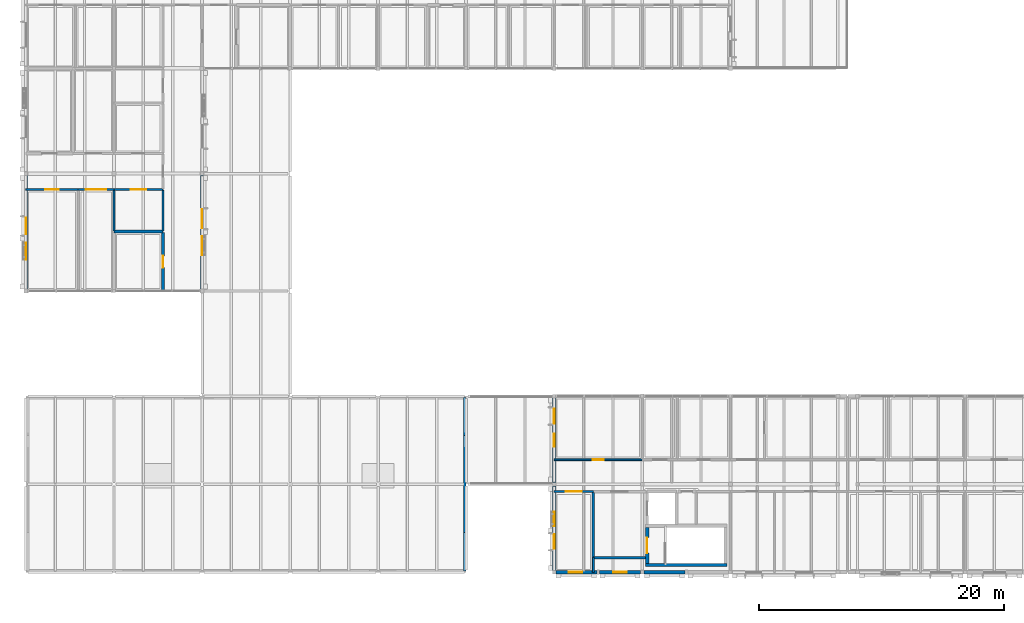
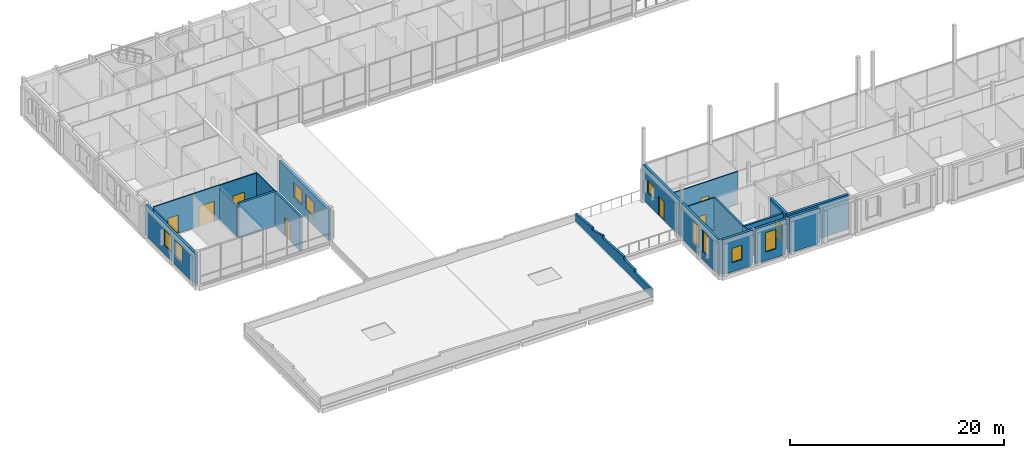
# One storey, part 36 of 57: 22 walls, 9 windows, 8 doors, 17 openings.
"""IFC4 building model written with IfcOpenShell, lengths in metres."""

import ifcopenshell
import ifcopenshell.guid

model = None  # the IFC model being written
_history = None  # IfcOwnerHistory: only IFC2X3 demands one
_inside = {}  # id of a spatial element -> (the spatial element, [elements in it])
_under = {}  # id of a project, library or spatial element -> (it, [spatial elements below it])
_declared = {}  # id of a project -> (the project, [libraries it declares])
_typed = {}  # id of a type object -> (the type object, [elements of that type])
_made_of = {}  # id of a material, layer set ... -> (it, [elements and type objects made of it])


def new_model(schema):
    """Start an empty IFC model of exactly this schema.

    Asked for "IFC4X3", IfcOpenShell would pick the latest addendum, in which some entities
    have other attributes; the version numbers below select the first issue.
    IFC2X3 requires an IfcOwnerHistory on every rooted entity: one is made here for all.
    """
    global model, _history
    if schema == "IFC4X3":
        model = ifcopenshell.file(schema_version=(4, 3, 0, 0))
    else:
        model = ifcopenshell.file(schema=schema)
    _inside.clear()
    _under.clear()
    _declared.clear()
    _typed.clear()
    _made_of.clear()
    _history = None
    if model.schema == "IFC2X3":
        org = make("IfcOrganization", Name="unknown")
        user = make(
            "IfcPersonAndOrganization",
            ThePerson=make("IfcPerson", FamilyName="unknown"),
            TheOrganization=org,
        )
        app = make(
            "IfcApplication",
            ApplicationDeveloper=org,
            Version="unknown",
            ApplicationFullName="unknown",
            ApplicationIdentifier="unknown",
        )
        _history = make(
            "IfcOwnerHistory",
            OwningUser=user,
            OwningApplication=app,
            ChangeAction="ADDED",
            CreationDate=0,
        )
    return model


def make(cls, **values):
    """One entity of the class cls with the attributes given. An attribute that is None is left unset."""
    return model.create_entity(
        cls, **{name: value for name, value in values.items() if value is not None}
    )


def rooted(cls, **values):
    """An entity with a GlobalId (a new one), such as an element, a storey or a relation."""
    return make(cls, GlobalId=ifcopenshell.guid.new(), OwnerHistory=_history, **values)


def si_unit(unit_type, name, prefix=None):
    """IfcSIUnit, for example si_unit("LENGTHUNIT", "METRE", prefix="MILLI")."""
    return make("IfcSIUnit", UnitType=unit_type, Prefix=prefix, Name=name)


def assignment(units):
    """IfcUnitAssignment: the units of a project."""
    return None if units is None else make("IfcUnitAssignment", Units=units)


def point(xyz):
    """IfcCartesianPoint."""
    return None if xyz is None else make("IfcCartesianPoint", Coordinates=xyz)


def direction(xyz):
    """IfcDirection."""
    return None if xyz is None else make("IfcDirection", DirectionRatios=xyz)


def frame(location, z_axis=None, x_axis=None):
    """IfcAxis2Placement3D, a coordinate frame: its origin and axes. An axis left out is left unset."""
    return make(
        "IfcAxis2Placement3D",
        Location=point(location),
        Axis=direction(z_axis),
        RefDirection=direction(x_axis),
    )


def frame_2d(location, x_axis=None):
    """IfcAxis2Placement2D, a coordinate frame in the plane: its origin and x axis."""
    return make(
        "IfcAxis2Placement2D", Location=point(location), RefDirection=direction(x_axis)
    )


def origin():
    """The frame at (0, 0, 0) with its axes left unset."""
    return frame((0.0, 0.0, 0.0))


def place(relative_to, where):
    """IfcLocalPlacement: puts the frame where relative to a parent placement (None: the world)."""
    return make(
        "IfcLocalPlacement", PlacementRelTo=relative_to, RelativePlacement=where
    )


def context(
    kind, dimensions, precision=None, world=None, true_north=None, identifier=None
):
    """IfcGeometricRepresentationContext, for example the 3D "Model" context."""
    return make(
        "IfcGeometricRepresentationContext",
        ContextIdentifier=identifier,
        ContextType=kind,
        CoordinateSpaceDimension=dimensions,
        Precision=precision,
        WorldCoordinateSystem=world,
        TrueNorth=true_north,
    )


def subcontext(parent, identifier, kind, view, scale=None):
    """IfcGeometricRepresentationSubContext, for example "Body" below "Model"."""
    return make(
        "IfcGeometricRepresentationSubContext",
        ContextIdentifier=identifier,
        ContextType=kind,
        ParentContext=parent,
        TargetScale=scale,
        TargetView=view,
    )


def project(units=None, contexts=None):
    """IfcProject with its units and contexts."""
    return rooted(
        "IfcProject",
        Name="project",
        RepresentationContexts=contexts,
        UnitsInContext=assignment(units),
    )


def spatial(cls, under=None, at=None, **own):
    """A site, building, storey or space (cls), placed at a placement, below another one or the project."""
    s = rooted(cls, ObjectPlacement=at, **own)
    if under is not None:
        _under.setdefault(under.id(), (under, []))[1].append(s)
    return s


def polyline(points):
    """IfcPolyline through the points."""
    return make("IfcPolyline", Points=[point(p) for p in points])


def profile(cls, at=None, kind="AREA", **sizes):
    """A parametric profile (cls). Its sizes go by their IFC names, for example OverallWidth=200.0."""
    return make(cls, ProfileType=kind, Position=at, **sizes)


def rectangle(**sizes):
    """IfcRectangleProfileDef."""
    return profile("IfcRectangleProfileDef", **sizes)


def outline(outer, holes=None, kind="AREA"):
    """IfcArbitraryClosedProfileDef: a profile drawn as a closed curve; with holes, ...WithVoids."""
    if holes is None:
        return make("IfcArbitraryClosedProfileDef", ProfileType=kind, OuterCurve=outer)
    return make(
        "IfcArbitraryProfileDefWithVoids",
        ProfileType=kind,
        OuterCurve=outer,
        InnerCurves=holes,
    )


def extrude(swept, where, along, depth):
    """IfcExtrudedAreaSolid: the profile swept, set in the frame where, extruded along a direction by depth."""
    return make(
        "IfcExtrudedAreaSolid",
        SweptArea=swept,
        Position=where,
        ExtrudedDirection=direction(along),
        Depth=depth,
    )


def shape(context_of_items, identifier, shape_type, items):
    """IfcShapeRepresentation: the items that make up one representation, for example the "Body"."""
    return make(
        "IfcShapeRepresentation",
        ContextOfItems=context_of_items,
        RepresentationIdentifier=identifier,
        RepresentationType=shape_type,
        Items=items,
    )


def material(Name=None, Category=None):
    """IfcMaterial."""
    return make("IfcMaterial", Name=Name, Category=Category)


def layer(
    of_material, thickness, ventilated=None, Name=None, Category=None, Priority=None
):
    """IfcMaterialLayer: one layer of a wall or slab, of a material (None: an air gap)."""
    return make(
        "IfcMaterialLayer",
        Material=of_material,
        LayerThickness=thickness,
        IsVentilated=ventilated,
        Name=Name,
        Category=Category,
        Priority=Priority,
    )


def layer_set(layers, Name=None):
    """IfcMaterialLayerSet."""
    return make("IfcMaterialLayerSet", MaterialLayers=layers, LayerSetName=Name)


def made_of(thing, what):
    """Note that an element or type object is made of a material, layer set ...; save() writes the relation."""
    if what is not None:
        _made_of.setdefault(what.id(), (what, []))[1].append(thing)
    return thing


def type_object(cls, material=None, **own):
    """A type object (cls), such as IfcWallType, which elements share."""
    return made_of(rooted(cls, **own), material)


def element(
    cls,
    number,
    at=None,
    inside=None,
    cuts=None,
    type_object=None,
    material=None,
    context=None,
    identifier="Body",
    shape_type=None,
    held_by="IfcProductDefinitionShape",
    body=None,
    shapes=None,
    **own,
):
    """One element of the class cls, such as IfcWall. Its Tag is "e" and its number.

    at: its placement. inside: the storey or other place that contains it. cuts: it is an
    opening in that element (IfcRelVoidsElement). A single representation is given by context,
    identifier, shape_type and body (its items); several are given by shapes. held_by: the class
    of the entity that holds the representations. save() writes the other relations.
    """
    e = rooted(cls, Tag="e%d" % number, ObjectPlacement=at, **own)
    if body is not None:
        shapes = [shape(context, identifier, shape_type, body)]
    if shapes is not None:
        e.Representation = make(held_by, Representations=shapes)
    if inside is not None:
        _inside.setdefault(inside.id(), (inside, []))[1].append(e)
    if cuts is not None:
        rooted(
            "IfcRelVoidsElement", RelatingBuildingElement=cuts, RelatedOpeningElement=e
        )
    if type_object is not None:
        _typed.setdefault(type_object.id(), (type_object, []))[1].append(e)
    return made_of(e, material)


def fill(opening, filler):
    """IfcRelFillsElement: the door or window that sits in an opening."""
    return rooted(
        "IfcRelFillsElement",
        RelatingOpeningElement=opening,
        RelatedBuildingElement=filler,
    )


def aggregate(whole, parts):
    """IfcRelAggregates: a whole, such as a stair, and the parts it consists of."""
    return rooted("IfcRelAggregates", RelatingObject=whole, RelatedObjects=parts)


def save(model, path):
    """Write the relations noted so far, then the file.

    IfcRelAggregates (storeys below a building ...), IfcRelContainedInSpatialStructure (elements
    in a storey), IfcRelDefinesByType, IfcRelAssociatesMaterial and IfcRelDeclares: one each for
    every whole, place, type object, material and project.
    """
    for whole, parts in _under.values():
        aggregate(whole, parts)
    for where, things in _inside.values():
        rooted(
            "IfcRelContainedInSpatialStructure",
            RelatedElements=things,
            RelatingStructure=where,
        )
    for kind, things in _typed.values():
        rooted("IfcRelDefinesByType", RelatedObjects=things, RelatingType=kind)
    for what, things in _made_of.values():
        rooted("IfcRelAssociatesMaterial", RelatedObjects=things, RelatingMaterial=what)
    for by, libraries in _declared.values():
        rooted("IfcRelDeclares", RelatingContext=by, RelatedDefinitions=libraries)
    model.write(path)


model = new_model("IFC4")

# Units and contexts
model_context = context("Model", 3, precision=1e-05, world=origin(), true_north=direction((0.0, 1.0)))
body_context = subcontext(model_context, "Body", "Model", "MODEL_VIEW")
ifc_project = project(units=[si_unit("LENGTHUNIT", "METRE"), si_unit("AREAUNIT", "SQUARE_METRE"), si_unit("VOLUMEUNIT", "CUBIC_METRE"), si_unit("PLANEANGLEUNIT", "RADIAN"), si_unit("MASSUNIT", "GRAM", prefix="KILO")], contexts=[model_context])

# Site, building, storey
site_placement = place(None, origin())
site = spatial("IfcSite", under=ifc_project, at=site_placement, CompositionType="ELEMENT")
building_placement = place(site_placement, origin())
building = spatial("IfcBuilding", under=site, at=building_placement, Name="Hawrajan Terrace Health Centre", CompositionType="ELEMENT")
storey_placement = place(building_placement, frame((0.0, 0.0, 13.199951171875)))
storey = spatial("IfcBuildingStorey", under=building, at=storey_placement, Name="L03", CompositionType="ELEMENT", Elevation=13.199951171875)

# Wall, opening, door
ifc_material_1 = material(Name="Gypsum board on acoustic stud framing")
ifc_layer_1 = layer(ifc_material_1, 0.139892578125)
ifc_layer_set_1 = layer_set([ifc_layer_1], Name="Gypsum board on acoustic stud framing")
wall_type_1 = type_object("IfcWallType", Name="ClinicalAcousticWall_140", PredefinedType="PARTITIONING", material=ifc_layer_set_1)
wall_1_placement = place(storey_placement, frame((4.60009765625, 35.5, 0.0), z_axis=(0.0, 0.0, 1.0), x_axis=(1.0, 0.0, 0.0)))
wall_1 = element("IfcWall", 1, at=wall_1_placement, inside=storey, type_object=wall_type_1, Name="Interior wall IW-L03-1272", PredefinedType="PARTITIONING", context=body_context, shape_type="SweptSolid", body=[
    extrude(rectangle(XDim=4.27001953125, YDim=0.139892578125, at=frame_2d((2.135009765625, 0.0))), origin(), (0.0, 0.0, 1.0), 3.929931640625),
])
opening_1_placement = place(wall_1_placement, frame((1.5849609375, 0.0, 0.0)))
opening_1 = element("IfcOpeningElement", 2, at=opening_1_placement, cuts=wall_1, Name="Opening D-L03-587", PredefinedType="OPENING", context=body_context, shape_type="SweptSolid", body=[
    extrude(rectangle(XDim=1.10009765625, YDim=2.10009765625, at=frame_2d((0.550048828125, 1.050048828125))), frame((0.0, 0.079833984375, 0.0), z_axis=(0.0, -1.0, 0.0), x_axis=(1.0, 0.0, 0.0)), (0.0, 0.0, 1.0), 0.159912109375),
])
ifc_material_2 = material(Name="Hardwood acoustic clinical door leaf and frame", Category="wood")
door_type_1 = type_object("IfcDoorType", Name="ConsultDoor_1100x2100", OperationType="NOTDEFINED", PredefinedType="DOOR", material=ifc_material_2)
door_1_placement = place(opening_1_placement, origin())
door_1 = element("IfcDoor", 3, at=door_1_placement, inside=storey, type_object=door_type_1, Name="Interior door D-L03-587", OperationType="SINGLE_SWING_LEFT", OverallHeight=2.10009765625, OverallWidth=1.10009765625, PredefinedType="DOOR", context=body_context, shape_type="SweptSolid", body=[
    extrude(rectangle(XDim=1.10009765625, YDim=2.10009765625, at=frame_2d((0.550048828125, 1.050048828125))), frame((0.0, 0.02490234375, 0.0), z_axis=(0.0, -1.0, 0.0), x_axis=(1.0, 0.0, 0.0)), (0.0, 0.0, 1.0), 0.050048828125),
])
fill(opening_1, door_1)

wall_2_placement = place(storey_placement, frame((8.8701171875, 35.5, 0.0), z_axis=(0.0, 0.0, 1.0), x_axis=(1.0, 0.0, 0.0)))
wall_2 = element("IfcWall", 4, at=wall_2_placement, inside=storey, type_object=wall_type_1, Name="Interior wall IW-L03-1285", PredefinedType="PARTITIONING", context=body_context, shape_type="SweptSolid", body=[
    extrude(rectangle(XDim=2.929931640625, YDim=0.139892578125, at=frame_2d((1.46484375, 0.0))), origin(), (0.0, 0.0, 1.0), 3.929931640625),
])
opening_2_placement = place(wall_2_placement, frame((0.635009765625, 0.0, 0.0)))
opening_2 = element("IfcOpeningElement", 5, at=opening_2_placement, cuts=wall_2, Name="Opening D-L03-588", PredefinedType="OPENING", context=body_context, shape_type="SweptSolid", body=[
    extrude(rectangle(XDim=1.659912109375, YDim=2.300048828125, at=frame_2d((0.830078125, 1.14990234375))), frame((0.0, 0.079833984375, 0.0), z_axis=(0.0, -1.0, 0.0), x_axis=(1.0, 0.0, 0.0)), (0.0, 0.0, 1.0), 0.159912109375),
])
door_type_2 = type_object("IfcDoorType", Name="RehabGymDoor_1660x2300", OperationType="DOUBLE_DOOR_SINGLE_SWING", PredefinedType="DOOR", material=ifc_material_2)
door_2_placement = place(opening_2_placement, origin())
door_2 = element("IfcDoor", 6, at=door_2_placement, inside=storey, type_object=door_type_2, Name="Interior door D-L03-588", OperationType="DOUBLE_DOOR_SINGLE_SWING", OverallHeight=2.300048828125, OverallWidth=1.659912109375, PredefinedType="DOOR", context=body_context, shape_type="SweptSolid", body=[
    extrude(rectangle(XDim=1.659912109375, YDim=2.300048828125, at=frame_2d((0.830078125, 1.14990234375))), frame((0.0, 0.02490234375, 0.0), z_axis=(0.0, -1.0, 0.0), x_axis=(1.0, 0.0, 0.0)), (0.0, 0.0, 1.0), 0.050048828125),
])
fill(opening_2, door_2)

# Wall
wall_3_placement = place(storey_placement, frame((11.800048828125, 32.1259765625, 0.0), z_axis=(0.0, 0.0, 1.0), x_axis=(0.0, 1.0, 0.0)))
element("IfcWall", 7, at=wall_3_placement, inside=storey, type_object=wall_type_1, Name="Interior wall IW-L03-1287", PredefinedType="PARTITIONING", context=body_context, shape_type="SweptSolid", body=[
    extrude(rectangle(XDim=3.303955078125, YDim=0.139892578125, at=frame_2d((1.65185546875, 0.0))), origin(), (0.0, 0.0, 1.0), 3.489990234375),
])

# Wall, opening, door
wall_4_placement = place(storey_placement, frame((11.800048828125, 35.5, 0.0), z_axis=(0.0, 0.0, 1.0), x_axis=(1.0, 0.0, 0.0)))
wall_4 = element("IfcWall", 8, at=wall_4_placement, inside=storey, type_object=wall_type_1, Name="Interior wall IW-L03-1289", PredefinedType="PARTITIONING", context=body_context, shape_type="SweptSolid", body=[
    extrude(rectangle(XDim=4.0, YDim=0.139892578125, at=frame_2d((2.0, 0.0))), origin(), (0.0, 0.0, 1.0), 3.929931640625),
])
opening_3_placement = place(wall_4_placement, frame((1.360107421875, 0.0, 0.0)))
opening_3 = element("IfcOpeningElement", 9, at=opening_3_placement, cuts=wall_4, Name="Opening D-L03-595", PredefinedType="OPENING", context=body_context, shape_type="SweptSolid", body=[
    extrude(rectangle(XDim=1.280029296875, YDim=2.199951171875, at=frame_2d((0.64013671875, 1.10009765625))), frame((0.0, 0.079833984375, 0.0), z_axis=(0.0, -1.0, 0.0), x_axis=(1.0, 0.0, 0.0)), (0.0, 0.0, 1.0), 0.159912109375),
])
door_type_3 = type_object("IfcDoorType", Name="ExamSuiteDoor_1280x2200", OperationType="NOTDEFINED", PredefinedType="DOOR", material=ifc_material_2)
door_3_placement = place(opening_3_placement, origin())
door_3 = element("IfcDoor", 10, at=door_3_placement, inside=storey, type_object=door_type_3, Name="Interior door D-L03-595", OperationType="SINGLE_SWING_LEFT", OverallHeight=2.199951171875, OverallWidth=1.280029296875, PredefinedType="DOOR", context=body_context, shape_type="SweptSolid", body=[
    extrude(rectangle(XDim=1.280029296875, YDim=2.199951171875, at=frame_2d((0.64013671875, 1.10009765625))), frame((0.0, 0.02490234375, 0.0), z_axis=(0.0, -1.0, 0.0), x_axis=(1.0, 0.0, 0.0)), (0.0, 0.0, 1.0), 0.050048828125),
])
fill(opening_3, door_3)

# Wall
wall_5_placement = place(storey_placement, frame((15.800048828125, 32.1259765625, 0.0), z_axis=(0.0, 0.0, 1.0), x_axis=(0.0, 1.0, 0.0)))
element("IfcWall", 11, at=wall_5_placement, inside=storey, type_object=wall_type_1, Name="Interior wall IW-L03-1299", PredefinedType="PARTITIONING", context=body_context, shape_type="SweptSolid", body=[
    extrude(rectangle(XDim=3.303955078125, YDim=0.139892578125, at=frame_2d((1.65185546875, 0.0))), origin(), (0.0, 0.0, 1.0), 3.929931640625),
])

# Wall, opening, door
wall_6_placement = place(storey_placement, frame((47.800048828125, 10.800048828125, 0.0), z_axis=(0.0, 0.0, 1.0), x_axis=(1.0, 0.0, 0.0)))
wall_6 = element("IfcWall", 12, at=wall_6_placement, inside=storey, type_object=wall_type_1, Name="Interior wall IW-L03-1335", PredefinedType="PARTITIONING", context=body_context, shape_type="SweptSolid", body=[
    extrude(rectangle(XDim=3.199951171875, YDim=0.139892578125, at=frame_2d((1.60009765625, 0.0))), origin(), (0.0, 0.0, 1.0), 3.75),
])
opening_4_placement = place(wall_6_placement, frame((0.9599609375, 0.0, 0.0)))
opening_4 = element("IfcOpeningElement", 13, at=opening_4_placement, cuts=wall_6, Name="Opening D-L03-615", PredefinedType="OPENING", context=body_context, shape_type="SweptSolid", body=[
    extrude(rectangle(XDim=1.280029296875, YDim=2.199951171875, at=frame_2d((0.64013671875, 1.10009765625))), frame((0.0, 0.079833984375, 0.0), z_axis=(0.0, -1.0, 0.0), x_axis=(1.0, 0.0, 0.0)), (0.0, 0.0, 1.0), 0.159912109375),
])
door_4_placement = place(opening_4_placement, origin())
door_4 = element("IfcDoor", 14, at=door_4_placement, inside=storey, type_object=door_type_3, Name="Interior door D-L03-615", OperationType="SINGLE_SWING_LEFT", OverallHeight=2.199951171875, OverallWidth=1.280029296875, PredefinedType="DOOR", context=body_context, shape_type="SweptSolid", body=[
    extrude(rectangle(XDim=1.280029296875, YDim=2.199951171875, at=frame_2d((0.64013671875, 1.10009765625))), frame((0.0, 0.02490234375, 0.0), z_axis=(0.0, -1.0, 0.0), x_axis=(1.0, 0.0, 0.0)), (0.0, 0.0, 1.0), 0.050048828125),
])
fill(opening_4, door_4)

wall_7_placement = place(storey_placement, frame((47.800048828125, 13.39990234375, 0.0), z_axis=(0.0, 0.0, 1.0), x_axis=(1.0, 0.0, 0.0)))
wall_7 = element("IfcWall", 15, at=wall_7_placement, inside=storey, type_object=wall_type_1, Name="Interior wall IW-L03-1336", PredefinedType="PARTITIONING", context=body_context, shape_type="SweptSolid", body=[
    extrude(rectangle(XDim=7.199951171875, YDim=0.139892578125, at=frame_2d((3.60009765625, 0.0))), origin(), (0.0, 0.0, 1.0), 3.75),
])
opening_5_placement = place(wall_7_placement, frame((3.14990234375, 0.0, 0.0)))
opening_5 = element("IfcOpeningElement", 16, at=opening_5_placement, cuts=wall_7, Name="Opening D-L03-616", PredefinedType="OPENING", context=body_context, shape_type="SweptSolid", body=[
    extrude(rectangle(XDim=0.89990234375, YDim=2.10009765625, at=frame_2d((0.449951171875, 1.050048828125))), frame((0.0, 0.079833984375, 0.0), z_axis=(0.0, -1.0, 0.0), x_axis=(1.0, 0.0, 0.0)), (0.0, 0.0, 1.0), 0.159912109375),
])
door_type_4 = type_object("IfcDoorType", Name="PatientWCDoor_900x2100", OperationType="NOTDEFINED", PredefinedType="DOOR", material=ifc_material_2)
door_5_placement = place(opening_5_placement, origin())
door_5 = element("IfcDoor", 17, at=door_5_placement, inside=storey, type_object=door_type_4, Name="Interior door D-L03-616", OperationType="SINGLE_SWING_RIGHT", OverallHeight=2.10009765625, OverallWidth=0.89990234375, PredefinedType="DOOR", context=body_context, shape_type="SweptSolid", body=[
    extrude(rectangle(XDim=0.89990234375, YDim=2.10009765625, at=frame_2d((0.449951171875, 1.050048828125))), frame((0.0, 0.02490234375, 0.0), z_axis=(0.0, -1.0, 0.0), x_axis=(1.0, 0.0, 0.0)), (0.0, 0.0, 1.0), 0.050048828125),
])
fill(opening_5, door_5)

# Wall
ifc_material_3 = material(Name="Concrete C40/50", Category="concrete")
ifc_layer_2 = layer(ifc_material_3, 0.260009765625)
ifc_layer_set_2 = layer_set([ifc_layer_2], Name="Concrete C40/50")
wall_type_2 = type_object("IfcWallType", Name="CoreShearWall_RC260", PredefinedType="SHEAR", material=ifc_layer_set_2)
wall_8_placement = place(storey_placement, frame((55.27001953125, 4.800048828125, 0.0), z_axis=(0.0, 0.0, 1.0), x_axis=(1.0, 0.0, 0.0)))
element("IfcWall", 18, at=wall_8_placement, inside=storey, type_object=wall_type_2, Name="Core shear wall SW-C4-L03-S", PredefinedType="SHEAR", context=body_context, shape_type="SweptSolid", body=[
    extrude(rectangle(XDim=6.659912109375, YDim=0.260009765625, at=frame_2d((3.330078125, 0.0))), origin(), (0.0, 0.0, 1.0), 3.949951171875),
])

# Wall, opening, door
wall_9_placement = place(storey_placement, frame((55.39990234375, 4.929931640625, 0.0), z_axis=(0.0, 0.0, 1.0), x_axis=(0.0, 1.0, 0.0)))
wall_9 = element("IfcWall", 19, at=wall_9_placement, inside=storey, type_object=wall_type_2, Name="Core shear wall SW-C4-L03-W", PredefinedType="SHEAR", context=body_context, shape_type="SweptSolid", body=[
    extrude(rectangle(XDim=2.940185546875, YDim=0.260009765625, at=frame_2d((1.47021484375, 0.0))), origin(), (0.0, 0.0, 1.0), 3.949951171875),
])
opening_6_placement = place(wall_9_placement, frame((0.844970703125, 0.0, 0.0)))
opening_6 = element("IfcOpeningElement", 20, at=opening_6_placement, cuts=wall_9, Name="Opening D-L03-567", PredefinedType="OPENING", context=body_context, shape_type="SweptSolid", body=[
    extrude(rectangle(XDim=1.25, YDim=2.14990234375, at=frame_2d((0.625, 1.074951171875))), frame((0.0, 0.139892578125, 0.0), z_axis=(0.0, -1.0, 0.0), x_axis=(1.0, 0.0, 0.0)), (0.0, 0.0, 1.0), 0.280029296875),
])
ifc_material_4 = material(Name="Timber-veneered acoustic fire-resisting door assembly", Category="wood")
door_type_5 = type_object("IfcDoorType", Name="CoreStairDoor_1250x2150", OperationType="NOTDEFINED", PredefinedType="DOOR", material=ifc_material_4)
door_6_placement = place(opening_6_placement, origin())
door_6 = element("IfcDoor", 21, at=door_6_placement, inside=storey, type_object=door_type_5, Name="Interior door D-L03-567", OperationType="SINGLE_SWING_LEFT", OverallHeight=2.14990234375, OverallWidth=1.25, PredefinedType="DOOR", context=body_context, shape_type="SweptSolid", body=[
    extrude(rectangle(XDim=1.25, YDim=2.14990234375, at=frame_2d((0.625, 1.074951171875))), frame((0.0, 0.02490234375, 0.0), z_axis=(0.0, -1.0, 0.0), x_axis=(1.0, 0.0, 0.0)), (0.0, 0.0, 1.0), 0.050048828125),
])
fill(opening_6, door_6)

# Walls
ifc_layer_3 = layer(ifc_material_1, 0.159912109375)
ifc_layer_set_3 = layer_set([ifc_layer_3], Name="Gypsum board on acoustic stud framing")
wall_type_3 = type_object("IfcWallType", Name="CorridorFireWall_160", PredefinedType="PARTITIONING", material=ifc_layer_set_3)
wall_10_placement = place(storey_placement, frame((51.0, 4.199951171875, 0.0), z_axis=(0.0, 0.0, 1.0), x_axis=(0.0, 1.0, 0.0)))
element("IfcWall", 22, at=wall_10_placement, inside=storey, type_object=wall_type_3, Name="Interior wall IW-L03-1414", PredefinedType="PARTITIONING", context=body_context, shape_type="SweptSolid", body=[
    extrude(rectangle(XDim=1.199951171875, YDim=0.159912109375, at=frame_2d((0.60009765625, 0.0))), origin(), (0.0, 0.0, 1.0), 3.75),
])
ifc_material_5 = material(Name="Cross-laminated timber CLT C24", Category="wood")
ifc_layer_4 = layer(ifc_material_5, 0.199951171875)
ifc_layer_set_4 = layer_set([ifc_layer_4], Name="Cross-laminated timber CLT C24")
wall_type_4 = type_object("IfcWallType", Name="FireCompartmentWall_200", PredefinedType="PARTITIONING", material=ifc_layer_set_4)
wall_11_placement = place(storey_placement, frame((51.0, 5.39990234375, 0.0), z_axis=(0.0, 0.0, 1.0), x_axis=(0.0, 1.0, 0.0)))
element("IfcWall", 23, at=wall_11_placement, inside=storey, type_object=wall_type_4, Name="Interior wall IW-L03-1342", PredefinedType="PARTITIONING", context=body_context, shape_type="SweptSolid", body=[
    extrude(rectangle(XDim=5.330078125, YDim=0.199951171875, at=frame_2d((2.6650390625, 0.0))), origin(), (0.0, 0.0, 1.0), 3.75),
])
wall_12_placement = place(storey_placement, frame((51.0, 5.39990234375, 0.0), z_axis=(0.0, 0.0, 1.0), x_axis=(1.0, 0.0, 0.0)))
element("IfcWall", 24, at=wall_12_placement, inside=storey, type_object=wall_type_4, Name="Interior wall IW-L03-1396", PredefinedType="PARTITIONING", context=body_context, shape_type="SweptSolid", body=[
    extrude(rectangle(XDim=4.260009765625, YDim=0.199951171875, at=frame_2d((2.1298828125, 0.0))), origin(), (0.0, 0.0, 1.0), 3.75),
])

# Wall, openings, windows
ifc_layer_5 = layer(ifc_material_5, 0.2900390625)
ifc_layer_set_5 = layer_set([ifc_layer_5], Name="Cross-laminated timber CLT C24")
wall_type_5 = type_object("IfcWallType", Name="InsulatedTimberFacade_290", PredefinedType="SOLIDWALL", material=ifc_layer_set_5)
wall_13_placement = place(storey_placement, frame((4.60009765625, 27.360107421875, 0.0), z_axis=(0.0, 0.0, 1.0), x_axis=(0.0, 1.0, 0.0)))
wall_13 = element("IfcWall", 25, at=wall_13_placement, inside=storey, type_object=wall_type_5, Name="Exterior wall EW-L03-V00-03-1", PredefinedType="SOLIDWALL", context=body_context, shape_type="SweptSolid", body=[
    extrude(rectangle(XDim=9.2998046875, YDim=0.2900390625, at=frame_2d((4.64990234375, 0.0))), origin(), (0.0, 0.0, 1.0), 3.489990234375),
])
opening_7_placement = place(wall_13_placement, frame((2.409912109375, 0.0, 1.0)))
opening_7 = element("IfcOpeningElement", 26, at=opening_7_placement, cuts=wall_13, Name="Opening W-L03-171", PredefinedType="OPENING", context=body_context, shape_type="SweptSolid", body=[
    extrude(rectangle(XDim=1.3798828125, YDim=1.800048828125, at=frame_2d((0.68994140625, 0.89990234375))), frame((0.0, 0.155029296875, 0.0), z_axis=(0.0, -1.0, 0.0), x_axis=(1.0, 0.0, 0.0)), (0.0, 0.0, 1.0), 0.31005859375),
])
opening_8_placement = place(wall_13_placement, frame((4.469970703125, 0.0, 1.0)))
opening_8 = element("IfcOpeningElement", 27, at=opening_8_placement, cuts=wall_13, Name="Opening W-L03-172", PredefinedType="OPENING", context=body_context, shape_type="SweptSolid", body=[
    extrude(rectangle(XDim=1.3798828125, YDim=1.800048828125, at=frame_2d((0.68994140625, 0.89990234375))), frame((0.0, 0.155029296875, 0.0), z_axis=(0.0, -1.0, 0.0), x_axis=(1.0, 0.0, 0.0)), (0.0, 0.0, 1.0), 0.31005859375),
])
ifc_material_6 = material(Name="Anodized bronze frame with double low-E glazing", Category="glass")
window_type_1 = type_object("IfcWindowType", Name="FacadeWindow_1380x1800", PartitioningType="SINGLE_PANEL", PredefinedType="WINDOW", material=ifc_material_6)
window_1_placement = place(opening_7_placement, origin())
window_1 = element("IfcWindow", 28, at=window_1_placement, inside=storey, type_object=window_type_1, Name="Window W-L03-171", OverallHeight=1.800048828125, OverallWidth=1.3798828125, PartitioningType="SINGLE_PANEL", PredefinedType="WINDOW", context=body_context, shape_type="SweptSolid", body=[
    extrude(rectangle(XDim=1.3798828125, YDim=1.800048828125, at=frame_2d((0.68994140625, 0.89990234375))), frame((0.0, 0.030029296875, 0.0), z_axis=(0.0, -1.0, 0.0), x_axis=(1.0, 0.0, 0.0)), (0.0, 0.0, 1.0), 0.06005859375),
])
fill(opening_7, window_1)
window_2_placement = place(opening_8_placement, origin())
window_2 = element("IfcWindow", 29, at=window_2_placement, inside=storey, type_object=window_type_1, Name="Window W-L03-172", OverallHeight=1.800048828125, OverallWidth=1.3798828125, PartitioningType="SINGLE_PANEL", PredefinedType="WINDOW", context=body_context, shape_type="SweptSolid", body=[
    extrude(rectangle(XDim=1.3798828125, YDim=1.800048828125, at=frame_2d((0.68994140625, 0.89990234375))), frame((0.0, 0.030029296875, 0.0), z_axis=(0.0, -1.0, 0.0), x_axis=(1.0, 0.0, 0.0)), (0.0, 0.0, 1.0), 0.06005859375),
])
fill(opening_8, window_2)

wall_14_placement = place(storey_placement, frame((19.0, 27.360107421875, 0.0), z_axis=(0.0, 0.0, 1.0), x_axis=(0.0, 1.0, 0.0)))
wall_14 = element("IfcWall", 30, at=wall_14_placement, inside=storey, type_object=wall_type_5, Name="Exterior wall EW-L03-V02-03-1", PredefinedType="SOLIDWALL", context=body_context, shape_type="SweptSolid", body=[
    extrude(rectangle(XDim=9.2998046875, YDim=0.2900390625, at=frame_2d((4.64990234375, 0.0))), origin(), (0.0, 0.0, 1.0), 3.489990234375),
])
opening_9_placement = place(wall_14_placement, frame((2.77001953125, 0.0, 1.050048828125)))
opening_9 = element("IfcOpeningElement", 31, at=opening_9_placement, cuts=wall_14, Name="Opening W-L03-180", PredefinedType="OPENING", context=body_context, shape_type="SweptSolid", body=[
    extrude(rectangle(XDim=1.5400390625, YDim=1.64990234375, at=frame_2d((0.77001953125, 0.824951171875))), frame((0.0, 0.155029296875, 0.0), z_axis=(0.0, -1.0, 0.0), x_axis=(1.0, 0.0, 0.0)), (0.0, 0.0, 1.0), 0.31005859375),
])
opening_10_placement = place(wall_14_placement, frame((4.989990234375, 0.0, 1.050048828125)))
opening_10 = element("IfcOpeningElement", 32, at=opening_10_placement, cuts=wall_14, Name="Opening W-L03-181", PredefinedType="OPENING", context=body_context, shape_type="SweptSolid", body=[
    extrude(rectangle(XDim=1.5400390625, YDim=1.64990234375, at=frame_2d((0.77001953125, 0.824951171875))), frame((0.0, 0.155029296875, 0.0), z_axis=(0.0, -1.0, 0.0), x_axis=(1.0, 0.0, 0.0)), (0.0, 0.0, 1.0), 0.31005859375),
])
window_type_2 = type_object("IfcWindowType", Name="FacadeWindow_1540x1650", PartitioningType="DOUBLE_PANEL_VERTICAL", PredefinedType="WINDOW", material=ifc_material_6)
window_3_placement = place(opening_9_placement, origin())
window_3 = element("IfcWindow", 33, at=window_3_placement, inside=storey, type_object=window_type_2, Name="Window W-L03-180", OverallHeight=1.64990234375, OverallWidth=1.5400390625, PartitioningType="DOUBLE_PANEL_VERTICAL", PredefinedType="WINDOW", context=body_context, shape_type="SweptSolid", body=[
    extrude(rectangle(XDim=1.5400390625, YDim=1.64990234375, at=frame_2d((0.77001953125, 0.824951171875))), frame((0.0, 0.030029296875, 0.0), z_axis=(0.0, -1.0, 0.0), x_axis=(1.0, 0.0, 0.0)), (0.0, 0.0, 1.0), 0.06005859375),
])
fill(opening_9, window_3)
window_4_placement = place(opening_10_placement, origin())
window_4 = element("IfcWindow", 34, at=window_4_placement, inside=storey, type_object=window_type_2, Name="Window W-L03-181", OverallHeight=1.64990234375, OverallWidth=1.5400390625, PartitioningType="DOUBLE_PANEL_VERTICAL", PredefinedType="WINDOW", context=body_context, shape_type="SweptSolid", body=[
    extrude(rectangle(XDim=1.5400390625, YDim=1.64990234375, at=frame_2d((0.77001953125, 0.824951171875))), frame((0.0, 0.030029296875, 0.0), z_axis=(0.0, -1.0, 0.0), x_axis=(1.0, 0.0, 0.0)), (0.0, 0.0, 1.0), 0.06005859375),
])
fill(opening_10, window_4)

# Wall, opening, window
wall_15_placement = place(storey_placement, frame((47.93994140625, 4.199951171875, 0.0), z_axis=(0.0, 0.0, 1.0), x_axis=(1.0, 0.0, 0.0)))
wall_15 = element("IfcWall", 35, at=wall_15_placement, inside=storey, type_object=wall_type_5, Name="Exterior wall EW-L03-H06-00-1", PredefinedType="SOLIDWALL", context=body_context, shape_type="SweptSolid", body=[
    extrude(rectangle(XDim=3.340087890625, YDim=0.2900390625, at=frame_2d((1.669921875, 0.0))), origin(), (0.0, 0.0, 1.0), 4.0),
])
opening_11_placement = place(wall_15_placement, frame((1.030029296875, 0.0, 1.050048828125)))
opening_11 = element("IfcOpeningElement", 36, at=opening_11_placement, cuts=wall_15, Name="Opening W-L03-192", PredefinedType="OPENING", context=body_context, shape_type="SweptSolid", body=[
    extrude(rectangle(XDim=1.1201171875, YDim=1.64990234375, at=frame_2d((0.56005859375, 0.824951171875))), frame((0.0, 0.155029296875, 0.0), z_axis=(0.0, -1.0, 0.0), x_axis=(1.0, 0.0, 0.0)), (0.0, 0.0, 1.0), 0.31005859375),
])
window_type_3 = type_object("IfcWindowType", Name="FacadeWindow_1120x1650", PartitioningType="SINGLE_PANEL", PredefinedType="WINDOW", material=ifc_material_6)
window_5_placement = place(opening_11_placement, origin())
window_5 = element("IfcWindow", 37, at=window_5_placement, inside=storey, type_object=window_type_3, Name="Window W-L03-192", OverallHeight=1.64990234375, OverallWidth=1.1201171875, PartitioningType="SINGLE_PANEL", PredefinedType="WINDOW", context=body_context, shape_type="SweptSolid", body=[
    extrude(rectangle(XDim=1.1201171875, YDim=1.64990234375, at=frame_2d((0.56005859375, 0.824951171875))), frame((0.0, 0.030029296875, 0.0), z_axis=(0.0, -1.0, 0.0), x_axis=(1.0, 0.0, 0.0)), (0.0, 0.0, 1.0), 0.06005859375),
])
fill(opening_11, window_5)

wall_16_placement = place(storey_placement, frame((51.52001953125, 4.199951171875, 0.0), z_axis=(0.0, 0.0, 1.0), x_axis=(1.0, 0.0, 0.0)))
wall_16 = element("IfcWall", 38, at=wall_16_placement, inside=storey, type_object=wall_type_5, Name="Exterior wall EW-L03-H06-00-2", PredefinedType="SOLIDWALL", context=body_context, shape_type="SweptSolid", body=[
    extrude(rectangle(XDim=3.320068359375, YDim=0.2900390625, at=frame_2d((1.66015625, 0.0))), origin(), (0.0, 0.0, 1.0), 4.0),
])
opening_12_placement = place(wall_16_placement, frame((1.110107421875, 0.0, 1.0)))
opening_12 = element("IfcOpeningElement", 39, at=opening_12_placement, cuts=wall_16, Name="Opening W-L03-193", PredefinedType="OPENING", context=body_context, shape_type="SweptSolid", body=[
    extrude(rectangle(XDim=1.10009765625, YDim=2.199951171875, at=frame_2d((0.550048828125, 1.10009765625))), frame((0.0, 0.155029296875, 0.0), z_axis=(0.0, -1.0, 0.0), x_axis=(1.0, 0.0, 0.0)), (0.0, 0.0, 1.0), 0.31005859375),
])
window_type_4 = type_object("IfcWindowType", Name="FacadeWindow_1100x2200", PartitioningType="SINGLE_PANEL", PredefinedType="WINDOW", material=ifc_material_6)
window_6_placement = place(opening_12_placement, origin())
window_6 = element("IfcWindow", 40, at=window_6_placement, inside=storey, type_object=window_type_4, Name="Window W-L03-193", OverallHeight=2.199951171875, OverallWidth=1.10009765625, PartitioningType="SINGLE_PANEL", PredefinedType="WINDOW", context=body_context, shape_type="SweptSolid", body=[
    extrude(rectangle(XDim=1.10009765625, YDim=2.199951171875, at=frame_2d((0.550048828125, 1.10009765625))), frame((0.0, 0.030029296875, 0.0), z_axis=(0.0, -1.0, 0.0), x_axis=(1.0, 0.0, 0.0)), (0.0, 0.0, 1.0), 0.06005859375),
])
fill(opening_12, window_6)

# Wall, openings, windows
wall_17_placement = place(storey_placement, frame((47.800048828125, 4.340087890625, 0.0), z_axis=(0.0, 0.0, 1.0), x_axis=(0.0, 1.0, 0.0)))
wall_17 = element("IfcWall", 41, at=wall_17_placement, inside=storey, type_object=wall_type_5, Name="Exterior wall EW-L03-V06-00-1", PredefinedType="SOLIDWALL", context=body_context, shape_type="SweptSolid", body=[
    extrude(rectangle(XDim=6.89990234375, YDim=0.2900390625, at=frame_2d((3.449951171875, 0.0))), origin(), (0.0, 0.0, 1.0), 4.0),
])
opening_13_placement = place(wall_17_placement, frame((1.77001953125, 0.0, 0.89990234375)))
opening_13 = element("IfcOpeningElement", 42, at=opening_13_placement, cuts=wall_17, Name="Opening W-L03-194", PredefinedType="OPENING", context=body_context, shape_type="SweptSolid", body=[
    extrude(rectangle(XDim=1.179931640625, YDim=2.39990234375, at=frame_2d((0.58984375, 1.199951171875))), frame((0.0, 0.155029296875, 0.0), z_axis=(0.0, -1.0, 0.0), x_axis=(1.0, 0.0, 0.0)), (0.0, 0.0, 1.0), 0.31005859375),
])
opening_14_placement = place(wall_17_placement, frame((3.6298828125, 0.0, 0.89990234375)))
opening_14 = element("IfcOpeningElement", 43, at=opening_14_placement, cuts=wall_17, Name="Opening W-L03-195", PredefinedType="OPENING", context=body_context, shape_type="SweptSolid", body=[
    extrude(rectangle(XDim=1.179931640625, YDim=2.39990234375, at=frame_2d((0.58984375, 1.199951171875))), frame((0.0, 0.155029296875, 0.0), z_axis=(0.0, -1.0, 0.0), x_axis=(1.0, 0.0, 0.0)), (0.0, 0.0, 1.0), 0.31005859375),
])
window_type_5 = type_object("IfcWindowType", Name="FacadeWindow_1180x2400", PartitioningType="SINGLE_PANEL", PredefinedType="WINDOW", material=ifc_material_6)
window_7_placement = place(opening_13_placement, origin())
window_7 = element("IfcWindow", 44, at=window_7_placement, inside=storey, type_object=window_type_5, Name="Window W-L03-194", OverallHeight=2.39990234375, OverallWidth=1.179931640625, PartitioningType="SINGLE_PANEL", PredefinedType="WINDOW", context=body_context, shape_type="SweptSolid", body=[
    extrude(rectangle(XDim=1.179931640625, YDim=2.39990234375, at=frame_2d((0.58984375, 1.199951171875))), frame((0.0, 0.030029296875, 0.0), z_axis=(0.0, -1.0, 0.0), x_axis=(1.0, 0.0, 0.0)), (0.0, 0.0, 1.0), 0.06005859375),
])
fill(opening_13, window_7)
window_8_placement = place(opening_14_placement, origin())
window_8 = element("IfcWindow", 45, at=window_8_placement, inside=storey, type_object=window_type_5, Name="Window W-L03-195", OverallHeight=2.39990234375, OverallWidth=1.179931640625, PartitioningType="SINGLE_PANEL", PredefinedType="WINDOW", context=body_context, shape_type="SweptSolid", body=[
    extrude(rectangle(XDim=1.179931640625, YDim=2.39990234375, at=frame_2d((0.58984375, 1.199951171875))), frame((0.0, 0.030029296875, 0.0), z_axis=(0.0, -1.0, 0.0), x_axis=(1.0, 0.0, 0.0)), (0.0, 0.0, 1.0), 0.06005859375),
])
fill(opening_14, window_8)

# Wall, openings, window, door
wall_18_placement = place(storey_placement, frame((47.800048828125, 11.56005859375, 0.0), z_axis=(0.0, 0.0, 1.0), x_axis=(0.0, 1.0, 0.0)))
wall_18 = element("IfcWall", 46, at=wall_18_placement, inside=storey, type_object=wall_type_5, Name="Exterior wall EW-L03-V06-01-1", PredefinedType="SOLIDWALL", context=body_context, shape_type="SweptSolid", body=[
    extrude(rectangle(XDim=6.89990234375, YDim=0.2900390625, at=frame_2d((3.449951171875, 0.0))), origin(), (0.0, 0.0, 1.0), 4.0),
])
opening_15_placement = place(wall_18_placement, frame((2.925048828125, 0.0, 0.0)))
opening_15 = element("IfcOpeningElement", 47, at=opening_15_placement, cuts=wall_18, Name="Opening D-L03-E022", PredefinedType="OPENING", context=body_context, shape_type="SweptSolid", body=[
    extrude(rectangle(XDim=1.050048828125, YDim=2.199951171875, at=frame_2d((0.52490234375, 1.10009765625))), frame((0.0, 0.155029296875, 0.0), z_axis=(0.0, -1.0, 0.0), x_axis=(1.0, 0.0, 0.0)), (0.0, 0.0, 1.0), 0.31005859375),
])
opening_16_placement = place(wall_18_placement, frame((4.782470703125, 0.0, 1.35009765625)))
opening_16 = element("IfcOpeningElement", 48, at=opening_16_placement, cuts=wall_18, Name="Opening W-L03-196", PredefinedType="OPENING", context=body_context, shape_type="SweptSolid", body=[
    extrude(rectangle(XDim=1.25, YDim=1.39990234375, at=frame_2d((0.625, 0.699951171875))), frame((0.0, 0.155029296875, 0.0), z_axis=(0.0, -1.0, 0.0), x_axis=(1.0, 0.0, 0.0)), (0.0, 0.0, 1.0), 0.31005859375),
])
window_type_6 = type_object("IfcWindowType", Name="FacadeWindow_1250x1400", PartitioningType="SINGLE_PANEL", PredefinedType="WINDOW", material=ifc_material_6)
window_9_placement = place(opening_16_placement, origin())
window_9 = element("IfcWindow", 49, at=window_9_placement, inside=storey, type_object=window_type_6, Name="Window W-L03-196", OverallHeight=1.39990234375, OverallWidth=1.25, PartitioningType="SINGLE_PANEL", PredefinedType="WINDOW", context=body_context, shape_type="SweptSolid", body=[
    extrude(rectangle(XDim=1.25, YDim=1.39990234375, at=frame_2d((0.625, 0.699951171875))), frame((0.0, 0.030029296875, 0.0), z_axis=(0.0, -1.0, 0.0), x_axis=(1.0, 0.0, 0.0)), (0.0, 0.0, 1.0), 0.06005859375),
])
fill(opening_16, window_9)
ifc_material_7 = material(Name="Anodized bronze thermally broken fire-rated glazed door")
door_type_6 = type_object("IfcDoorType", Name="TerraceAccessDoor_1050x2200", OperationType="NOTDEFINED", PredefinedType="DOOR", material=ifc_material_7)
door_7_placement = place(opening_15_placement, origin())
door_7 = element("IfcDoor", 50, at=door_7_placement, inside=storey, type_object=door_type_6, Name="Allied West Terrace Door D-L03-E022", OperationType="SINGLE_SWING_RIGHT", OverallHeight=2.199951171875, OverallWidth=1.050048828125, PredefinedType="DOOR", context=body_context, shape_type="SweptSolid", body=[
    extrude(rectangle(XDim=1.050048828125, YDim=2.199951171875, at=frame_2d((0.52490234375, 1.10009765625))), frame((0.0, 0.02490234375, 0.0), z_axis=(0.0, -1.0, 0.0), x_axis=(1.0, 0.0, 0.0)), (0.0, 0.0, 1.0), 0.050048828125),
])
fill(opening_15, door_7)

# Walls
wall_19_placement = place(storey_placement, frame((55.159912109375, 4.199951171875, 0.0), z_axis=(0.0, 0.0, 1.0), x_axis=(1.0, 0.0, 0.0)))
element("IfcWall", 51, at=wall_19_placement, inside=storey, type_object=wall_type_5, Name="Exterior wall EW-L03-H07-00-1", PredefinedType="SOLIDWALL", context=body_context, shape_type="SweptSolid", body=[
    extrude(rectangle(XDim=3.320068359375, YDim=0.2900390625, at=frame_2d((1.66015625, 0.0))), origin(), (0.0, 0.0, 1.0), 4.0),
])
ifc_layer_6 = layer(ifc_material_3, 0.25)
ifc_layer_set_6 = layer_set([ifc_layer_6], Name="Concrete C40/50")
wall_type_6 = type_object("IfcWallType", Name="RadiationShieldWall_RC250", PredefinedType="SOLIDWALL", material=ifc_layer_set_6)
wall_20_placement = place(storey_placement, frame((11.800048828125, 32.055908203125, 0.0), z_axis=(0.0, 0.0, 1.0), x_axis=(1.0, 0.0, 0.0)))
element("IfcWall", 52, at=wall_20_placement, inside=storey, type_object=wall_type_6, Name="Interior wall IW-L03-1288", PredefinedType="SOLIDWALL", context=body_context, shape_type="SweptSolid", body=[
    extrude(rectangle(XDim=4.0, YDim=0.25, at=frame_2d((2.0, 0.0))), origin(), (0.0, 0.0, 1.0), 3.929931640625),
])

# Wall, opening, door
wall_21_placement = place(storey_placement, frame((15.800048828125, 27.199951171875, 0.0), z_axis=(0.0, 0.0, 1.0), x_axis=(0.0, 1.0, 0.0)))
wall_21 = element("IfcWall", 53, at=wall_21_placement, inside=storey, type_object=wall_type_6, Name="Interior wall IW-L03-1298", PredefinedType="SOLIDWALL", context=body_context, shape_type="SweptSolid", body=[
    extrude(rectangle(XDim=4.7861328125, YDim=0.25, at=frame_2d((2.39306640625, 0.0))), origin(), (0.0, 0.0, 1.0), 3.929931640625),
])
opening_17_placement = place(wall_21_placement, frame((1.9130859375, 0.0, 0.0)))
opening_17 = element("IfcOpeningElement", 54, at=opening_17_placement, cuts=wall_21, Name="Opening D-L03-594", PredefinedType="OPENING", context=body_context, shape_type="SweptSolid", body=[
    extrude(rectangle(XDim=0.9599609375, YDim=2.10009765625, at=frame_2d((0.47998046875, 1.050048828125))), frame((0.0, 0.135009765625, 0.0), z_axis=(0.0, -1.0, 0.0), x_axis=(1.0, 0.0, 0.0)), (0.0, 0.0, 1.0), 0.27001953125),
])
door_type_7 = type_object("IfcDoorType", Name="ClinicalFireDoor_960x2100", OperationType="NOTDEFINED", PredefinedType="DOOR", material=ifc_material_4)
door_8_placement = place(opening_17_placement, origin())
door_8 = element("IfcDoor", 55, at=door_8_placement, inside=storey, type_object=door_type_7, Name="Interior door D-L03-594", OperationType="SINGLE_SWING_RIGHT", OverallHeight=2.10009765625, OverallWidth=0.9599609375, PredefinedType="DOOR", context=body_context, shape_type="SweptSolid", body=[
    extrude(rectangle(XDim=0.9599609375, YDim=2.10009765625, at=frame_2d((0.47998046875, 1.050048828125))), frame((0.0, 0.02490234375, 0.0), z_axis=(0.0, -1.0, 0.0), x_axis=(1.0, 0.0, 0.0)), (0.0, 0.0, 1.0), 0.050048828125),
])
fill(opening_17, door_8)

# Wall
ifc_material_8 = material(Name="Precast concrete C40/50", Category="concrete")
ifc_layer_7 = layer(ifc_material_8, 0.22998046875)
ifc_layer_set_7 = layer_set([ifc_layer_7], Name="Precast concrete C40/50")
wall_type_7 = type_object("IfcWallType", Name="ZigguratParapet_230", PredefinedType="PARAPET", material=ifc_layer_set_7)
wall_22_placement = place(storey_placement, frame((40.47998046875, 4.320068359375, 0.0), z_axis=(0.0, 0.0, 1.0), x_axis=(0.0, 1.0, 0.0)))
element("IfcWall", 56, at=wall_22_placement, inside=storey, type_object=wall_type_7, Name="Stepped Art Deco parapet PAR-V4-L03-E", PredefinedType="PARAPET", context=body_context, shape_type="SweptSolid", body=[
    extrude(outline(polyline([(0.0, 0.0), (14.159912109375, 0.0), (14.159912109375, 0.949951171875), (11.044921875, 1.22509765625), (11.044921875, 0.949951171875), (9.0625, 1.5), (9.0625, 1.22509765625), (5.09765625, 1.5), (5.09765625, 1.22509765625), (3.115234375, 1.22509765625), (3.115234375, 0.949951171875), (0.0, 0.949951171875), (0.0, 0.0)])), frame((0.0, 0.114990234375, 0.0), z_axis=(0.0, -1.0, 0.0), x_axis=(1.0, 0.0, 0.0)), (0.0, 0.0, 1.0), 0.22998046875),
])

save(model, "model.ifc")
